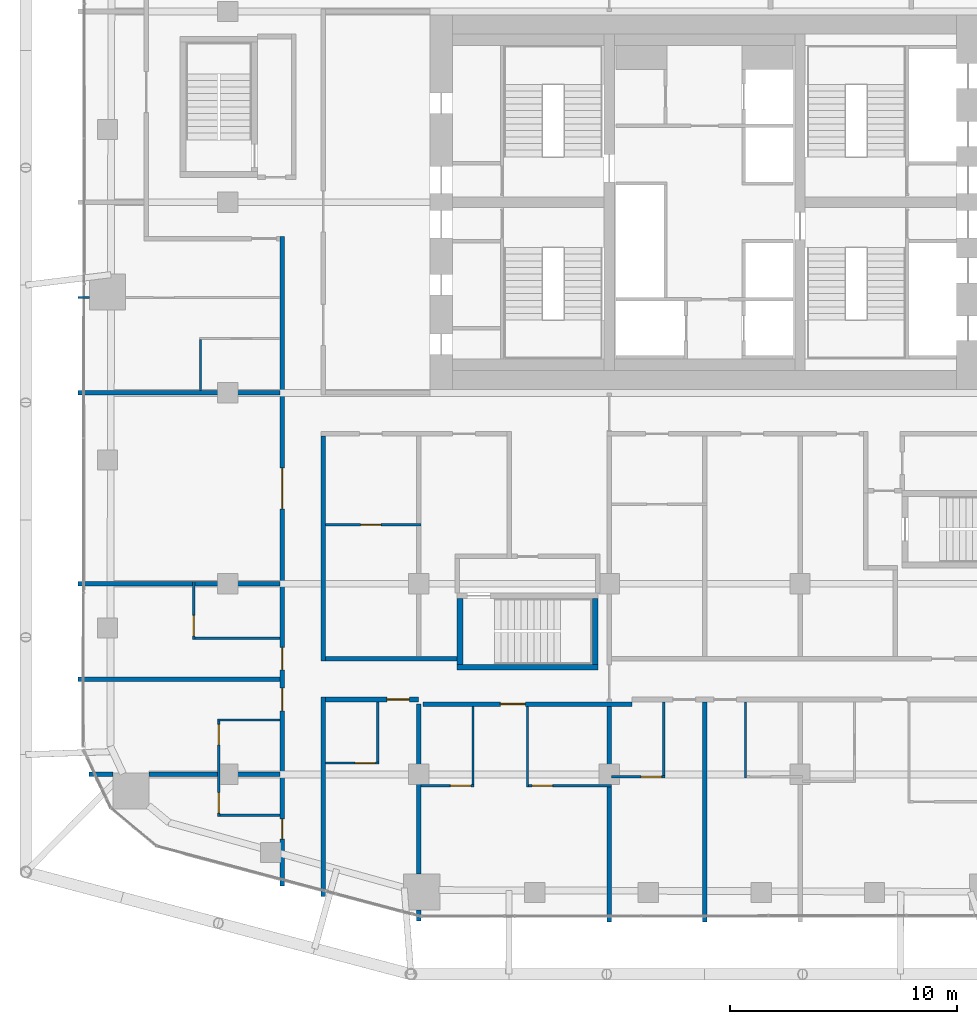
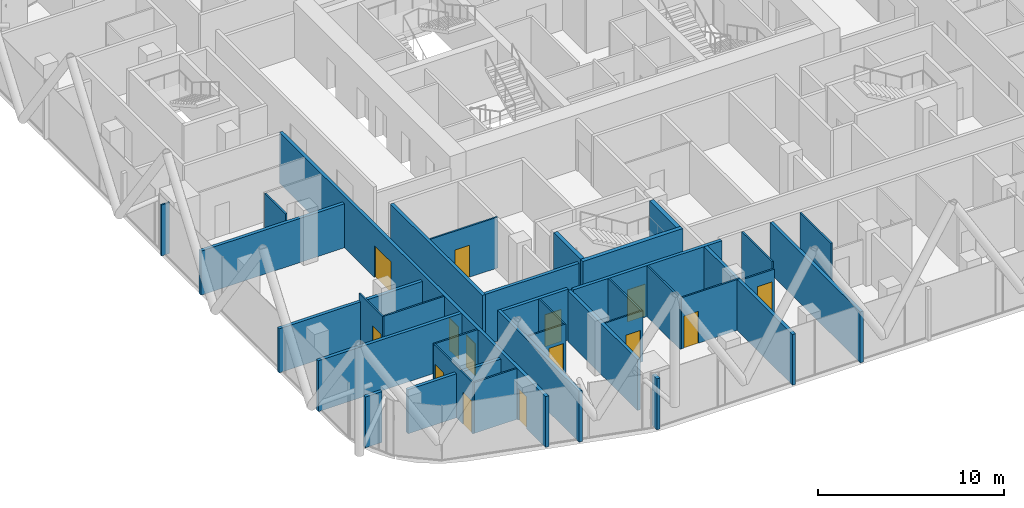
# One storey, part 27 of 36: 35 walls, 14 doors, 14 openings.
"""IFC4 building model written with IfcOpenShell, lengths in metres."""

from ifc_helpers import new_model, si_unit, direction, frame, frame_2d, origin, place, context, subcontext, project, spatial, rectangle, extrude, material, layer, layer_set, type_object, element, fill, save


model = new_model("IFC4")

# Units and contexts
model_context = context("Model", 3, precision=1e-05, world=origin(), true_north=direction((0.0, 1.0)))
body_context = subcontext(model_context, "Body", "Model", "MODEL_VIEW")
ifc_project = project(units=[si_unit("LENGTHUNIT", "METRE"), si_unit("AREAUNIT", "SQUARE_METRE"), si_unit("VOLUMEUNIT", "CUBIC_METRE"), si_unit("PLANEANGLEUNIT", "RADIAN"), si_unit("MASSUNIT", "GRAM", prefix="KILO")], contexts=[model_context])

# Site, building, storey
site_placement = place(None, origin())
site = spatial("IfcSite", under=ifc_project, at=site_placement, CompositionType="ELEMENT")
building_placement = place(site_placement, origin())
building = spatial("IfcBuilding", under=site, at=building_placement, Name="Marenta Gate Hotel Tower", CompositionType="ELEMENT")
storey_placement = place(building_placement, frame((0.0, 0.0, 130.10009765625)))
storey = spatial("IfcBuildingStorey", under=building, at=storey_placement, Name="L29", CompositionType="ELEMENT", Elevation=130.10009765625)

# Walls
ifc_material_1 = material(Name="Concrete blockwork", Category="masonry")
ifc_layer_1 = layer(ifc_material_1, 0.199951171875)
ifc_layer_set_1 = layer_set([ifc_layer_1], Name="Concrete blockwork")
wall_type_1 = type_object("IfcWallType", Name="Compartment wall 200 REI 180", PredefinedType="PARTITIONING", material=ifc_layer_set_1)
wall_1_placement = place(storey_placement, frame((-4.199951171875, -23.300048828125, 0.0), z_axis=(0.0, 0.0, 1.0), x_axis=(0.0, 1.0, 0.0)))
element("IfcWall", 1, at=wall_1_placement, inside=storey, type_object=wall_type_1, Name="L29-PTN-W079", PredefinedType="PARTITIONING", context=body_context, shape_type="SweptSolid", body=[
    extrude(rectangle(XDim=9.5, YDim=0.199951171875, at=frame_2d((4.75, 0.0))), origin(), (0.0, 0.0, 1.0), 3.33984375),
])
ifc_material_2 = material(Name="Concrete C40", Category="concrete")
ifc_layer_2 = layer(ifc_material_2, 0.25)
ifc_layer_set_2 = layer_set([ifc_layer_2], Name="Concrete C40")
wall_type_2 = type_object("IfcWallType", Name="Remote stair enclosure wall 250 REI 180", PredefinedType="SHEAR", material=ifc_layer_set_2)
wall_2_placement = place(storey_placement, frame((-10.89990234375, -12.074951171875, 0.099853515625), z_axis=(0.0, 0.0, 1.0), x_axis=(1.0, 0.0, 0.0)))
element("IfcWall", 2, at=wall_2_placement, inside=storey, type_object=wall_type_2, Name="L29-RS-Z2-1-W1", PredefinedType="SHEAR", context=body_context, shape_type="SweptSolid", body=[
    extrude(rectangle(XDim=6.199951171875, YDim=0.25, at=frame_2d((3.10009765625, 0.0))), origin(), (0.0, 0.0, 1.0), 3.60009765625),
])
for number, where, z_axis, x_axis, name in (
    (3, (-10.77490234375, -11.949951171875, 0.099853515625), (0.0, 0.0, 1.0), (0.0, 1.0, 0.0), "L29-RS-Z2-1-W3"),
    (4, (-4.824951171875, -11.949951171875, 0.099853515625), (0.0, 0.0, 1.0), (0.0, 1.0, 0.0), "L29-RS-Z2-1-W4"),
):
    element("IfcWall", number, at=place(storey_placement, frame(where, z_axis=z_axis, x_axis=x_axis)), inside=storey, type_object=wall_type_2, Name=name, PredefinedType="SHEAR", context=body_context, shape_type="SweptSolid", body=[
        extrude(rectangle(XDim=2.89990234375, YDim=0.25, at=frame_2d((1.449951171875, 0.0))), origin(), (0.0, 0.0, 1.0), 3.60009765625),
    ])

# Wall, opening, door
ifc_material_3 = material(Name="Gypsum board on steel stud", Category="steel")
ifc_layer_3 = layer(ifc_material_3, 0.199951171875)
ifc_layer_set_3 = layer_set([ifc_layer_3], Name="Gypsum board on steel stud")
wall_type_3 = type_object("IfcWallType", Name="Room corridor wall 200 EI 60", PredefinedType="PARTITIONING", material=ifc_layer_set_3)
wall_3_placement = place(storey_placement, frame((-12.39990234375, -13.699951171875, 0.0), z_axis=(0.0, 0.0, 1.0), x_axis=(1.0, 0.0, 0.0)))
wall_3 = element("IfcWall", 5, at=wall_3_placement, inside=storey, type_object=wall_type_3, Name="L29-PTN-W030", PredefinedType="PARTITIONING", context=body_context, shape_type="SweptSolid", body=[
    extrude(rectangle(XDim=9.199951171875, YDim=0.199951171875, at=frame_2d((4.60009765625, 0.0))), origin(), (0.0, 0.0, 1.0), 3.33984375),
])
opening_1_placement = place(wall_3_placement, frame((3.39990234375, 0.0, 0.0)))
opening_1 = element("IfcOpeningElement", 6, at=opening_1_placement, cuts=wall_3, Name="Opening G10-42", PredefinedType="OPENING", context=body_context, shape_type="SweptSolid", body=[
    extrude(rectangle(XDim=1.10009765625, YDim=2.10009765625, at=frame_2d((0.550048828125, 1.050048828125))), frame((0.0, 0.10009765625, 0.0), z_axis=(0.0, -1.0, 0.0), x_axis=(1.0, 0.0, 0.0)), (0.0, 0.0, 1.0), 0.199951171875),
])
ifc_material_4 = material(Name="Timber door leaf", Category="wood")
door_type_1 = type_object("IfcDoorType", Name="Guest room door 1100x2100 EI 30", OperationType="NOTDEFINED", PredefinedType="DOOR", material=ifc_material_4)
door_1_placement = place(opening_1_placement, origin())
door_1 = element("IfcDoor", 7, at=door_1_placement, inside=storey, type_object=door_type_1, Name="L29-PD-D042", OperationType="SINGLE_SWING_LEFT", OverallHeight=2.10009765625, OverallWidth=1.10009765625, PredefinedType="DOOR", context=body_context, shape_type="SweptSolid", body=[
    extrude(rectangle(XDim=1.10009765625, YDim=2.10009765625, at=frame_2d((0.550048828125, 1.050048828125))), frame((0.0, 0.02490234375, 0.0), z_axis=(0.0, -1.0, 0.0), x_axis=(1.0, 0.0, 0.0)), (0.0, 0.0, 1.0), 0.050048828125),
])
fill(opening_1, door_1)

wall_4_placement = place(storey_placement, frame((-16.699951171875, -13.5, 0.0), z_axis=(0.0, 0.0, 1.0), x_axis=(1.0, 0.0, 0.0)))
wall_4 = element("IfcWall", 8, at=wall_4_placement, inside=storey, type_object=wall_type_3, Name="L29-PTN-W031", PredefinedType="PARTITIONING", context=body_context, shape_type="SweptSolid", body=[
    extrude(rectangle(XDim=4.099853515625, YDim=0.199951171875, at=frame_2d((2.0498046875, 0.0))), origin(), (0.0, 0.0, 1.0), 3.33984375),
])
opening_2_placement = place(wall_4_placement, frame((2.699951171875, 0.0, 0.0)))
opening_2 = element("IfcOpeningElement", 9, at=opening_2_placement, cuts=wall_4, Name="Opening G10-40", PredefinedType="OPENING", context=body_context, shape_type="SweptSolid", body=[
    extrude(rectangle(XDim=1.0, YDim=2.10009765625, at=frame_2d((0.5, 1.050048828125))), frame((0.0, 0.10009765625, 0.0), z_axis=(0.0, -1.0, 0.0), x_axis=(1.0, 0.0, 0.0)), (0.0, 0.0, 1.0), 0.199951171875),
])
ifc_material_5 = material(Name="Timber door leaf", Category="wood")
door_type_2 = type_object("IfcDoorType", Name="Guest room door 1000x2100 EI 30", OperationType="NOTDEFINED", PredefinedType="DOOR", material=ifc_material_5)
door_2_placement = place(opening_2_placement, origin())
door_2 = element("IfcDoor", 10, at=door_2_placement, inside=storey, type_object=door_type_2, Name="L29-PD-D040", OperationType="SINGLE_SWING_RIGHT", OverallHeight=2.10009765625, OverallWidth=1.0, PredefinedType="DOOR", context=body_context, shape_type="SweptSolid", body=[
    extrude(rectangle(XDim=1.0, YDim=2.10009765625, at=frame_2d((0.5, 1.050048828125))), frame((0.0, 0.02490234375, 0.0), z_axis=(0.0, -1.0, 0.0), x_axis=(1.0, 0.0, 0.0)), (0.0, 0.0, 1.0), 0.050048828125),
])
fill(opening_2, door_2)

# Walls
wall_5_placement = place(storey_placement, frame((-16.699951171875, -11.699951171875, 0.0), z_axis=(0.0, 0.0, 1.0), x_axis=(1.0, 0.0, 0.0)))
element("IfcWall", 11, at=wall_5_placement, inside=storey, type_object=wall_type_3, Name="L29-PTN-W039", PredefinedType="PARTITIONING", context=body_context, shape_type="SweptSolid", body=[
    extrude(rectangle(XDim=5.800048828125, YDim=0.199951171875, at=frame_2d((2.89990234375, 0.0))), origin(), (0.0, 0.0, 1.0), 3.33984375),
])
wall_6_placement = place(storey_placement, frame((-16.800048828125, -22.18603515625, 0.0), z_axis=(0.0, 0.0, 1.0), x_axis=(0.0, 1.0, 0.0)))
element("IfcWall", 12, at=wall_6_placement, inside=storey, type_object=wall_type_3, Name="L29-PTN-W104", PredefinedType="PARTITIONING", context=body_context, shape_type="SweptSolid", body=[
    extrude(rectangle(XDim=8.7861328125, YDim=0.199951171875, at=frame_2d((4.39306640625, 0.0))), origin(), (0.0, 0.0, 1.0), 3.33984375),
])
wall_7_placement = place(storey_placement, frame((-16.800048828125, -11.800048828125, 0.0), z_axis=(0.0, 0.0, 1.0), x_axis=(0.0, 1.0, 0.0)))
element("IfcWall", 13, at=wall_7_placement, inside=storey, type_object=wall_type_3, Name="L29-PTN-W105", PredefinedType="PARTITIONING", context=body_context, shape_type="SweptSolid", body=[
    extrude(rectangle(XDim=9.900146484375, YDim=0.199951171875, at=frame_2d((4.9501953125, 0.0))), origin(), (0.0, 0.0, 1.0), 3.33984375),
])

# Wall, openings, doors
wall_8_placement = place(storey_placement, frame((-18.60009765625, -21.7080078125, 0.0), z_axis=(0.0, 0.0, 1.0), x_axis=(0.0, 1.0, 0.0)))
wall_8 = element("IfcWall", 14, at=wall_8_placement, inside=storey, type_object=wall_type_3, Name="L29-PTN-W111", PredefinedType="PARTITIONING", context=body_context, shape_type="SweptSolid", body=[
    extrude(rectangle(XDim=28.60791015625, YDim=0.199951171875, at=frame_2d((14.303955078125, 0.0))), origin(), (0.0, 0.0, 1.0), 3.33984375),
])
opening_3_placement = place(wall_8_placement, frame((2.053955078125, 0.0, 0.0)))
opening_3 = element("IfcOpeningElement", 15, at=opening_3_placement, cuts=wall_8, Name="Opening G10-54", PredefinedType="OPENING", context=body_context, shape_type="SweptSolid", body=[
    extrude(rectangle(XDim=0.89990234375, YDim=2.10009765625, at=frame_2d((0.449951171875, 1.050048828125))), frame((0.0, 0.10009765625, 0.0), z_axis=(0.0, -1.0, 0.0), x_axis=(1.0, 0.0, 0.0)), (0.0, 0.0, 1.0), 0.199951171875),
])
opening_4_placement = place(wall_8_placement, frame((7.7080078125, 0.0, 0.0)))
opening_4 = element("IfcOpeningElement", 16, at=opening_4_placement, cuts=wall_8, Name="Opening G10-56", PredefinedType="OPENING", context=body_context, shape_type="SweptSolid", body=[
    extrude(rectangle(XDim=1.0, YDim=2.10009765625, at=frame_2d((0.5, 1.050048828125))), frame((0.0, 0.10009765625, 0.0), z_axis=(0.0, -1.0, 0.0), x_axis=(1.0, 0.0, 0.0)), (0.0, 0.0, 1.0), 0.199951171875),
])
opening_5_placement = place(wall_8_placement, frame((9.508056640625, 0.0, 0.0)))
opening_5 = element("IfcOpeningElement", 17, at=opening_5_placement, cuts=wall_8, Name="Opening G10-58", PredefinedType="OPENING", context=body_context, shape_type="SweptSolid", body=[
    extrude(rectangle(XDim=1.0, YDim=2.10009765625, at=frame_2d((0.5, 1.050048828125))), frame((0.0, 0.10009765625, 0.0), z_axis=(0.0, -1.0, 0.0), x_axis=(1.0, 0.0, 0.0)), (0.0, 0.0, 1.0), 0.199951171875),
])
opening_6_placement = place(wall_8_placement, frame((16.60791015625, 0.0, 0.0)))
opening_6 = element("IfcOpeningElement", 18, at=opening_6_placement, cuts=wall_8, Name="Opening G10-60", PredefinedType="OPENING", context=body_context, shape_type="SweptSolid", body=[
    extrude(rectangle(XDim=1.800048828125, YDim=2.10009765625, at=frame_2d((0.89990234375, 1.050048828125))), frame((0.0, 0.10009765625, 0.0), z_axis=(0.0, -1.0, 0.0), x_axis=(1.0, 0.0, 0.0)), (0.0, 0.0, 1.0), 0.199951171875),
])
door_3_placement = place(opening_4_placement, origin())
door_3 = element("IfcDoor", 19, at=door_3_placement, inside=storey, type_object=door_type_2, Name="L29-PD-D056", OperationType="SINGLE_SWING_LEFT", OverallHeight=2.10009765625, OverallWidth=1.0, PredefinedType="DOOR", context=body_context, shape_type="SweptSolid", body=[
    extrude(rectangle(XDim=1.0, YDim=2.10009765625, at=frame_2d((0.5, 1.050048828125))), frame((0.0, 0.02490234375, 0.0), z_axis=(0.0, -1.0, 0.0), x_axis=(1.0, 0.0, 0.0)), (0.0, 0.0, 1.0), 0.050048828125),
])
fill(opening_4, door_3)
door_4_placement = place(opening_5_placement, origin())
door_4 = element("IfcDoor", 20, at=door_4_placement, inside=storey, type_object=door_type_2, Name="L29-PD-D058", OperationType="SINGLE_SWING_LEFT", OverallHeight=2.10009765625, OverallWidth=1.0, PredefinedType="DOOR", context=body_context, shape_type="SweptSolid", body=[
    extrude(rectangle(XDim=1.0, YDim=2.10009765625, at=frame_2d((0.5, 1.050048828125))), frame((0.0, 0.02490234375, 0.0), z_axis=(0.0, -1.0, 0.0), x_axis=(1.0, 0.0, 0.0)), (0.0, 0.0, 1.0), 0.050048828125),
])
fill(opening_5, door_4)
ifc_material_6 = material(Name="Timber door leaf", Category="wood")
door_type_3 = type_object("IfcDoorType", Name="Guest room door 900x2100 EI 30", OperationType="NOTDEFINED", PredefinedType="DOOR", material=ifc_material_6)
door_5_placement = place(opening_3_placement, origin())
door_5 = element("IfcDoor", 21, at=door_5_placement, inside=storey, type_object=door_type_3, Name="L29-PD-D054", OperationType="SINGLE_SWING_LEFT", OverallHeight=2.10009765625, OverallWidth=0.89990234375, PredefinedType="DOOR", context=body_context, shape_type="SweptSolid", body=[
    extrude(rectangle(XDim=0.89990234375, YDim=2.10009765625, at=frame_2d((0.449951171875, 1.050048828125))), frame((0.0, 0.02490234375, 0.0), z_axis=(0.0, -1.0, 0.0), x_axis=(1.0, 0.0, 0.0)), (0.0, 0.0, 1.0), 0.050048828125),
])
fill(opening_3, door_5)
ifc_material_7 = material(Name="Timber door leaf", Category="wood")
door_type_4 = type_object("IfcDoorType", Name="Room amenity door 1800x2100 EI 30", OperationType="DOUBLE_DOOR_SINGLE_SWING", PredefinedType="DOOR", material=ifc_material_7)
door_6_placement = place(opening_6_placement, origin())
door_6 = element("IfcDoor", 22, at=door_6_placement, inside=storey, type_object=door_type_4, Name="L29-PD-D060", OperationType="DOUBLE_DOOR_SINGLE_SWING", OverallHeight=2.10009765625, OverallWidth=1.800048828125, PredefinedType="DOOR", context=body_context, shape_type="SweptSolid", body=[
    extrude(rectangle(XDim=1.800048828125, YDim=2.10009765625, at=frame_2d((0.89990234375, 1.050048828125))), frame((0.0, 0.02490234375, 0.0), z_axis=(0.0, -1.0, 0.0), x_axis=(1.0, 0.0, 0.0)), (0.0, 0.0, 1.0), 0.050048828125),
])
fill(opening_6, door_6)

# Wall
ifc_material_8 = material(Name="Gypsum board on steel stud", Category="steel")
ifc_layer_4 = layer(ifc_material_8, 0.10009765625)
ifc_layer_set_4 = layer_set([ifc_layer_4], Name="Gypsum board on steel stud")
wall_type_4 = type_object("IfcWallType", Name="Room partition 100", PredefinedType="PARTITIONING", material=ifc_layer_set_4)
wall_9_placement = place(storey_placement, frame((-21.35009765625, -18.60009765625, 0.0), z_axis=(0.0, 0.0, 1.0), x_axis=(1.0, 0.0, 0.0)))
element("IfcWall", 23, at=wall_9_placement, inside=storey, type_object=wall_type_4, Name="L29-PTN-W012", PredefinedType="PARTITIONING", context=body_context, shape_type="SweptSolid", body=[
    extrude(rectangle(XDim=2.650146484375, YDim=0.10009765625, at=frame_2d((1.3251953125, 0.0))), origin(), (0.0, 0.0, 1.0), 3.33984375),
])

# Wall, opening, door
wall_10_placement = place(storey_placement, frame((-12.5, -17.300048828125, 0.0), z_axis=(0.0, 0.0, 1.0), x_axis=(1.0, 0.0, 0.0)))
wall_10 = element("IfcWall", 24, at=wall_10_placement, inside=storey, type_object=wall_type_4, Name="L29-PTN-W015", PredefinedType="PARTITIONING", context=body_context, shape_type="SweptSolid", body=[
    extrude(rectangle(XDim=2.35009765625, YDim=0.10009765625, at=frame_2d((1.175048828125, 0.0))), origin(), (0.0, 0.0, 1.0), 3.33984375),
])
opening_7_placement = place(wall_10_placement, frame((1.300048828125, 0.0, 0.0)))
opening_7 = element("IfcOpeningElement", 25, at=opening_7_placement, cuts=wall_10, Name="Opening G10-44", PredefinedType="OPENING", context=body_context, shape_type="SweptSolid", body=[
    extrude(rectangle(XDim=0.89990234375, YDim=2.10009765625, at=frame_2d((0.449951171875, 1.050048828125))), frame((0.0, 0.050048828125, 0.0), z_axis=(0.0, -1.0, 0.0), x_axis=(1.0, 0.0, 0.0)), (0.0, 0.0, 1.0), 0.10009765625),
])
ifc_material_9 = material(Name="Timber door leaf", Category="wood")
door_type_5 = type_object("IfcDoorType", Name="Room inner door 900x2100", OperationType="NOTDEFINED", PredefinedType="DOOR", material=ifc_material_9)
door_7_placement = place(opening_7_placement, origin())
door_7 = element("IfcDoor", 26, at=door_7_placement, inside=storey, type_object=door_type_5, Name="L29-PD-D044", OperationType="SINGLE_SWING_RIGHT", OverallHeight=2.10009765625, OverallWidth=0.89990234375, PredefinedType="DOOR", context=body_context, shape_type="SweptSolid", body=[
    extrude(rectangle(XDim=0.89990234375, YDim=2.10009765625, at=frame_2d((0.449951171875, 1.050048828125))), frame((0.0, 0.02490234375, 0.0), z_axis=(0.0, -1.0, 0.0), x_axis=(1.0, 0.0, 0.0)), (0.0, 0.0, 1.0), 0.050048828125),
])
fill(opening_7, door_7)

wall_11_placement = place(storey_placement, frame((-7.75, -17.300048828125, 0.0), z_axis=(0.0, 0.0, 1.0), x_axis=(1.0, 0.0, 0.0)))
wall_11 = element("IfcWall", 27, at=wall_11_placement, inside=storey, type_object=wall_type_4, Name="L29-PTN-W016", PredefinedType="PARTITIONING", context=body_context, shape_type="SweptSolid", body=[
    extrude(rectangle(XDim=3.64990234375, YDim=0.10009765625, at=frame_2d((1.824951171875, 0.0))), origin(), (0.0, 0.0, 1.0), 3.33984375),
])
opening_8_placement = place(wall_11_placement, frame((0.14990234375, 0.0, 0.0)))
opening_8 = element("IfcOpeningElement", 28, at=opening_8_placement, cuts=wall_11, Name="Opening G10-43", PredefinedType="OPENING", context=body_context, shape_type="SweptSolid", body=[
    extrude(rectangle(XDim=0.89990234375, YDim=2.10009765625, at=frame_2d((0.449951171875, 1.050048828125))), frame((0.0, 0.050048828125, 0.0), z_axis=(0.0, -1.0, 0.0), x_axis=(1.0, 0.0, 0.0)), (0.0, 0.0, 1.0), 0.10009765625),
])
ifc_material_10 = material(Name="Timber door leaf", Category="wood")
door_type_6 = type_object("IfcDoorType", Name="Guest bathroom door 900x2100", OperationType="NOTDEFINED", PredefinedType="DOOR", material=ifc_material_10)
door_8_placement = place(opening_8_placement, origin())
door_8 = element("IfcDoor", 29, at=door_8_placement, inside=storey, type_object=door_type_6, Name="L29-PD-D043", OperationType="SINGLE_SWING_LEFT", OverallHeight=2.10009765625, OverallWidth=0.89990234375, PredefinedType="DOOR", context=body_context, shape_type="SweptSolid", body=[
    extrude(rectangle(XDim=0.89990234375, YDim=2.10009765625, at=frame_2d((0.449951171875, 1.050048828125))), frame((0.0, 0.02490234375, 0.0), z_axis=(0.0, -1.0, 0.0), x_axis=(1.0, 0.0, 0.0)), (0.0, 0.0, 1.0), 0.050048828125),
])
fill(opening_8, door_8)

wall_12_placement = place(storey_placement, frame((-4.10009765625, -16.89990234375, 0.0), z_axis=(0.0, 0.0, 1.0), x_axis=(1.0, 0.0, 0.0)))
wall_12 = element("IfcWall", 30, at=wall_12_placement, inside=storey, type_object=wall_type_4, Name="L29-PTN-W018", PredefinedType="PARTITIONING", context=body_context, shape_type="SweptSolid", body=[
    extrude(rectangle(XDim=2.35009765625, YDim=0.10009765625, at=frame_2d((1.175048828125, 0.0))), origin(), (0.0, 0.0, 1.0), 2.889892578125),
])
opening_9_placement = place(wall_12_placement, frame((1.300048828125, 0.0, 0.0)))
opening_9 = element("IfcOpeningElement", 31, at=opening_9_placement, cuts=wall_12, Name="Opening G10-46", PredefinedType="OPENING", context=body_context, shape_type="SweptSolid", body=[
    extrude(rectangle(XDim=0.89990234375, YDim=2.10009765625, at=frame_2d((0.449951171875, 1.050048828125))), frame((0.0, 0.050048828125, 0.0), z_axis=(0.0, -1.0, 0.0), x_axis=(1.0, 0.0, 0.0)), (0.0, 0.0, 1.0), 0.10009765625),
])
door_9_placement = place(opening_9_placement, origin())
door_9 = element("IfcDoor", 32, at=door_9_placement, inside=storey, type_object=door_type_6, Name="L29-PD-D046", OperationType="SINGLE_SWING_RIGHT", OverallHeight=2.10009765625, OverallWidth=0.89990234375, PredefinedType="DOOR", context=body_context, shape_type="SweptSolid", body=[
    extrude(rectangle(XDim=0.89990234375, YDim=2.10009765625, at=frame_2d((0.449951171875, 1.050048828125))), frame((0.0, 0.02490234375, 0.0), z_axis=(0.0, -1.0, 0.0), x_axis=(1.0, 0.0, 0.0)), (0.0, 0.0, 1.0), 0.050048828125),
])
fill(opening_9, door_9)

wall_13_placement = place(storey_placement, frame((-16.699951171875, -16.300048828125, 0.0), z_axis=(0.0, 0.0, 1.0), x_axis=(1.0, 0.0, 0.0)))
wall_13 = element("IfcWall", 33, at=wall_13_placement, inside=storey, type_object=wall_type_4, Name="L29-PTN-W025", PredefinedType="PARTITIONING", context=body_context, shape_type="SweptSolid", body=[
    extrude(rectangle(XDim=2.349853515625, YDim=0.10009765625, at=frame_2d((1.1748046875, 0.0))), origin(), (0.0, 0.0, 1.0), 3.33984375),
])
opening_10_placement = place(wall_13_placement, frame((1.300048828125, 0.0, 0.0)))
opening_10 = element("IfcOpeningElement", 34, at=opening_10_placement, cuts=wall_13, Name="Opening G10-41", PredefinedType="OPENING", context=body_context, shape_type="SweptSolid", body=[
    extrude(rectangle(XDim=0.89990234375, YDim=2.10009765625, at=frame_2d((0.449951171875, 1.050048828125))), frame((0.0, 0.050048828125, 0.0), z_axis=(0.0, -1.0, 0.0), x_axis=(1.0, 0.0, 0.0)), (0.0, 0.0, 1.0), 0.10009765625),
])
door_10_placement = place(opening_10_placement, origin())
door_10 = element("IfcDoor", 35, at=door_10_placement, inside=storey, type_object=door_type_6, Name="L29-PD-D041", OperationType="SINGLE_SWING_RIGHT", OverallHeight=2.10009765625, OverallWidth=0.89990234375, PredefinedType="DOOR", context=body_context, shape_type="SweptSolid", body=[
    extrude(rectangle(XDim=0.89990234375, YDim=2.10009765625, at=frame_2d((0.449951171875, 1.050048828125))), frame((0.0, 0.02490234375, 0.0), z_axis=(0.0, -1.0, 0.0), x_axis=(1.0, 0.0, 0.0)), (0.0, 0.0, 1.0), 0.050048828125),
])
fill(opening_10, door_10)

# Walls
wall_14_placement = place(storey_placement, frame((-21.449951171875, -14.39990234375, 0.0), z_axis=(0.0, 0.0, 1.0), x_axis=(1.0, 0.0, 0.0)))
element("IfcWall", 36, at=wall_14_placement, inside=storey, type_object=wall_type_4, Name="L29-PTN-W028", PredefinedType="PARTITIONING", context=body_context, shape_type="SweptSolid", body=[
    extrude(rectangle(XDim=2.75, YDim=0.10009765625, at=frame_2d((1.375, 0.0))), origin(), (0.0, 0.0, 1.0), 3.33984375),
])
wall_15_placement = place(storey_placement, frame((-22.449951171875, -10.800048828125, 0.0), z_axis=(0.0, 0.0, 1.0), x_axis=(1.0, 0.0, 0.0)))
element("IfcWall", 37, at=wall_15_placement, inside=storey, type_object=wall_type_4, Name="L29-PTN-W041", PredefinedType="PARTITIONING", context=body_context, shape_type="SweptSolid", body=[
    extrude(rectangle(XDim=3.75, YDim=0.10009765625, at=frame_2d((1.875, 0.0))), origin(), (0.0, 0.0, 1.0), 3.33984375),
])

# Wall, opening, door
wall_16_placement = place(storey_placement, frame((-16.699951171875, -5.800048828125, 0.0), z_axis=(0.0, 0.0, 1.0), x_axis=(1.0, 0.0, 0.0)))
wall_16 = element("IfcWall", 38, at=wall_16_placement, inside=storey, type_object=wall_type_4, Name="L29-PTN-W058", PredefinedType="PARTITIONING", context=body_context, shape_type="SweptSolid", body=[
    extrude(rectangle(XDim=4.199951171875, YDim=0.10009765625, at=frame_2d((2.10009765625, 0.0))), origin(), (0.0, 0.0, 1.0), 3.33984375),
])
opening_11_placement = place(wall_16_placement, frame((1.550048828125, 0.0, 0.0)))
opening_11 = element("IfcOpeningElement", 39, at=opening_11_placement, cuts=wall_16, Name="Opening G10-02", PredefinedType="OPENING", context=body_context, shape_type="SweptSolid", body=[
    extrude(rectangle(XDim=0.89990234375, YDim=2.10009765625, at=frame_2d((0.449951171875, 1.050048828125))), frame((0.0, 0.050048828125, 0.0), z_axis=(0.0, -1.0, 0.0), x_axis=(1.0, 0.0, 0.0)), (0.0, 0.0, 1.0), 0.10009765625),
])
door_11_placement = place(opening_11_placement, origin())
door_11 = element("IfcDoor", 40, at=door_11_placement, inside=storey, type_object=door_type_5, Name="L29-PD-D002", OperationType="SINGLE_SWING_RIGHT", OverallHeight=2.10009765625, OverallWidth=0.89990234375, PredefinedType="DOOR", context=body_context, shape_type="SweptSolid", body=[
    extrude(rectangle(XDim=0.89990234375, YDim=2.10009765625, at=frame_2d((0.449951171875, 1.050048828125))), frame((0.0, 0.02490234375, 0.0), z_axis=(0.0, -1.0, 0.0), x_axis=(1.0, 0.0, 0.0)), (0.0, 0.0, 1.0), 0.050048828125),
])
fill(opening_11, door_11)

# Walls
wall_17_placement = place(storey_placement, frame((1.800048828125, -16.949951171875, 0.0), z_axis=(0.0, 0.0, 1.0), x_axis=(0.0, 1.0, 0.0)))
element("IfcWall", 41, at=wall_17_placement, inside=storey, type_object=wall_type_4, Name="L29-PTN-W066", PredefinedType="PARTITIONING", context=body_context, shape_type="SweptSolid", body=[
    extrude(rectangle(XDim=3.349853515625, YDim=0.10009765625, at=frame_2d((1.6748046875, 0.0))), origin(), (0.0, 0.0, 1.0), 3.33984375),
])
wall_18_placement = place(storey_placement, frame((-1.800048828125, -16.85009765625, 0.0), z_axis=(0.0, 0.0, 1.0), x_axis=(0.0, 1.0, 0.0)))
element("IfcWall", 42, at=wall_18_placement, inside=storey, type_object=wall_type_4, Name="L29-PTN-W076", PredefinedType="PARTITIONING", context=body_context, shape_type="SweptSolid", body=[
    extrude(rectangle(XDim=3.25, YDim=0.10009765625, at=frame_2d((1.625, 0.0))), origin(), (0.0, 0.0, 1.0), 3.33984375),
])
wall_19_placement = place(storey_placement, frame((-27.60009765625, 4.199951171875, 0.0), z_axis=(0.0, 0.0, 1.0), x_axis=(1.0, 0.0, 0.0)))
element("IfcWall", 43, at=wall_19_placement, inside=storey, type_object=wall_type_4, Name="L29-PTN-W082", PredefinedType="PARTITIONING", context=body_context, shape_type="SweptSolid", body=[
    extrude(rectangle(XDim=0.5, YDim=0.10009765625, at=frame_2d((0.25, 0.0))), origin(), (0.0, 0.0, 1.0), 3.33984375),
])
wall_20_placement = place(storey_placement, frame((-7.800048828125, -17.35009765625, 0.0), z_axis=(0.0, 0.0, 1.0), x_axis=(0.0, 1.0, 0.0)))
element("IfcWall", 44, at=wall_20_placement, inside=storey, type_object=wall_type_4, Name="L29-PTN-W087", PredefinedType="PARTITIONING", context=body_context, shape_type="SweptSolid", body=[
    extrude(rectangle(XDim=3.550048828125, YDim=0.10009765625, at=frame_2d((1.77490234375, 0.0))), origin(), (0.0, 0.0, 1.0), 3.33984375),
])
wall_21_placement = place(storey_placement, frame((-10.199951171875, -17.25, 0.0), z_axis=(0.0, 0.0, 1.0), x_axis=(0.0, 1.0, 0.0)))
element("IfcWall", 45, at=wall_21_placement, inside=storey, type_object=wall_type_4, Name="L29-PTN-W093", PredefinedType="PARTITIONING", context=body_context, shape_type="SweptSolid", body=[
    extrude(rectangle(XDim=3.449951171875, YDim=0.10009765625, at=frame_2d((1.72509765625, 0.0))), origin(), (0.0, 0.0, 1.0), 3.33984375),
])
wall_22_placement = place(storey_placement, frame((-14.39990234375, -16.25, 0.0), z_axis=(0.0, 0.0, 1.0), x_axis=(0.0, 1.0, 0.0)))
element("IfcWall", 46, at=wall_22_placement, inside=storey, type_object=wall_type_4, Name="L29-PTN-W100", PredefinedType="PARTITIONING", context=body_context, shape_type="SweptSolid", body=[
    extrude(rectangle(XDim=2.64990234375, YDim=0.10009765625, at=frame_2d((1.324951171875, 0.0))), origin(), (0.0, 0.0, 1.0), 3.33984375),
])

# Wall, openings, doors
wall_23_placement = place(storey_placement, frame((-21.39990234375, -18.64990234375, 0.0), z_axis=(0.0, 0.0, 1.0), x_axis=(0.0, 1.0, 0.0)))
wall_23 = element("IfcWall", 47, at=wall_23_placement, inside=storey, type_object=wall_type_4, Name="L29-PTN-W117", PredefinedType="PARTITIONING", context=body_context, shape_type="SweptSolid", body=[
    extrude(rectangle(XDim=4.199951171875, YDim=0.10009765625, at=frame_2d((2.10009765625, 0.0))), origin(), (0.0, 0.0, 1.0), 3.33984375),
])
opening_12_placement = place(wall_23_placement, frame((0.14990234375, 0.0, 0.0)))
opening_12 = element("IfcOpeningElement", 48, at=opening_12_placement, cuts=wall_23, Name="Opening G10-55", PredefinedType="OPENING", context=body_context, shape_type="SweptSolid", body=[
    extrude(rectangle(XDim=0.89990234375, YDim=2.10009765625, at=frame_2d((0.449951171875, 1.050048828125))), frame((0.0, 0.050048828125, 0.0), z_axis=(0.0, -1.0, 0.0), x_axis=(1.0, 0.0, 0.0)), (0.0, 0.0, 1.0), 0.10009765625),
])
opening_13_placement = place(wall_23_placement, frame((3.14990234375, 0.0, 0.0)))
opening_13 = element("IfcOpeningElement", 49, at=opening_13_placement, cuts=wall_23, Name="Opening G10-57", PredefinedType="OPENING", context=body_context, shape_type="SweptSolid", body=[
    extrude(rectangle(XDim=0.89990234375, YDim=2.10009765625, at=frame_2d((0.449951171875, 1.050048828125))), frame((0.0, 0.050048828125, 0.0), z_axis=(0.0, -1.0, 0.0), x_axis=(1.0, 0.0, 0.0)), (0.0, 0.0, 1.0), 0.10009765625),
])
door_12_placement = place(opening_12_placement, origin())
door_12 = element("IfcDoor", 50, at=door_12_placement, inside=storey, type_object=door_type_6, Name="L29-PD-D055", OperationType="SINGLE_SWING_RIGHT", OverallHeight=2.10009765625, OverallWidth=0.89990234375, PredefinedType="DOOR", context=body_context, shape_type="SweptSolid", body=[
    extrude(rectangle(XDim=0.89990234375, YDim=2.10009765625, at=frame_2d((0.449951171875, 1.050048828125))), frame((0.0, 0.02490234375, 0.0), z_axis=(0.0, -1.0, 0.0), x_axis=(1.0, 0.0, 0.0)), (0.0, 0.0, 1.0), 0.050048828125),
])
fill(opening_12, door_12)
door_13_placement = place(opening_13_placement, origin())
door_13 = element("IfcDoor", 51, at=door_13_placement, inside=storey, type_object=door_type_6, Name="L29-PD-D057", OperationType="SINGLE_SWING_LEFT", OverallHeight=2.10009765625, OverallWidth=0.89990234375, PredefinedType="DOOR", context=body_context, shape_type="SweptSolid", body=[
    extrude(rectangle(XDim=0.89990234375, YDim=2.10009765625, at=frame_2d((0.449951171875, 1.050048828125))), frame((0.0, 0.02490234375, 0.0), z_axis=(0.0, -1.0, 0.0), x_axis=(1.0, 0.0, 0.0)), (0.0, 0.0, 1.0), 0.050048828125),
])
fill(opening_13, door_13)

# Wall
wall_24_placement = place(storey_placement, frame((-22.199951171875, 0.10009765625, 0.0), z_axis=(0.0, 0.0, 1.0), x_axis=(0.0, 1.0, 0.0)))
element("IfcWall", 52, at=wall_24_placement, inside=storey, type_object=wall_type_4, Name="L29-PTN-W122", PredefinedType="PARTITIONING", context=body_context, shape_type="SweptSolid", body=[
    extrude(rectangle(XDim=2.25, YDim=0.10009765625, at=frame_2d((1.125, 0.0))), origin(), (0.0, 0.0, 1.0), 3.33984375),
])

# Wall, opening, door
wall_25_placement = place(storey_placement, frame((-22.5, -10.85009765625, 0.0), z_axis=(0.0, 0.0, 1.0), x_axis=(0.0, 1.0, 0.0)))
wall_25 = element("IfcWall", 53, at=wall_25_placement, inside=storey, type_object=wall_type_4, Name="L29-PTN-W127", PredefinedType="PARTITIONING", context=body_context, shape_type="SweptSolid", body=[
    extrude(rectangle(XDim=2.550048828125, YDim=0.10009765625, at=frame_2d((1.27490234375, 0.0))), origin(), (0.0, 0.0, 1.0), 3.33984375),
])
opening_14_placement = place(wall_25_placement, frame((0.14990234375, 0.0, 0.0)))
opening_14 = element("IfcOpeningElement", 54, at=opening_14_placement, cuts=wall_25, Name="Opening G10-59", PredefinedType="OPENING", context=body_context, shape_type="SweptSolid", body=[
    extrude(rectangle(XDim=0.89990234375, YDim=2.10009765625, at=frame_2d((0.449951171875, 1.050048828125))), frame((0.0, 0.050048828125, 0.0), z_axis=(0.0, -1.0, 0.0), x_axis=(1.0, 0.0, 0.0)), (0.0, 0.0, 1.0), 0.10009765625),
])
door_14_placement = place(opening_14_placement, origin())
door_14 = element("IfcDoor", 55, at=door_14_placement, inside=storey, type_object=door_type_6, Name="L29-PD-D059", OperationType="SINGLE_SWING_RIGHT", OverallHeight=2.10009765625, OverallWidth=0.89990234375, PredefinedType="DOOR", context=body_context, shape_type="SweptSolid", body=[
    extrude(rectangle(XDim=0.89990234375, YDim=2.10009765625, at=frame_2d((0.449951171875, 1.050048828125))), frame((0.0, 0.02490234375, 0.0), z_axis=(0.0, -1.0, 0.0), x_axis=(1.0, 0.0, 0.0)), (0.0, 0.0, 1.0), 0.050048828125),
])
fill(opening_14, door_14)

# Walls
ifc_material_11 = material(Name="Gypsum board on steel stud", Category="steel")
ifc_layer_5 = layer(ifc_material_11, 0.199951171875)
ifc_layer_set_5 = layer_set([ifc_layer_5], Name="Gypsum board on steel stud")
wall_type_5 = type_object("IfcWallType", Name="Room party wall 200 EI 60", PredefinedType="PARTITIONING", material=ifc_layer_set_5)
wall_26_placement = place(storey_placement, frame((-27.112060546875, -16.800048828125, 0.0), z_axis=(0.0, 0.0, 1.0), x_axis=(1.0, 0.0, 0.0)))
element("IfcWall", 56, at=wall_26_placement, inside=storey, type_object=wall_type_5, Name="L29-PTN-W023", PredefinedType="PARTITIONING", context=body_context, shape_type="SweptSolid", body=[
    extrude(rectangle(XDim=1.049072265625, YDim=0.199951171875, at=frame_2d((0.5244140625, 0.0))), origin(), (0.0, 0.0, 1.0), 3.33984375),
])
wall_27_placement = place(storey_placement, frame((-24.462890625, -16.800048828125, 0.0), z_axis=(0.0, 0.0, 1.0), x_axis=(1.0, 0.0, 0.0)))
element("IfcWall", 57, at=wall_27_placement, inside=storey, type_object=wall_type_5, Name="L29-PTN-W132", PredefinedType="PARTITIONING", context=body_context, shape_type="SweptSolid", body=[
    extrude(rectangle(XDim=5.762939453125, YDim=0.199951171875, at=frame_2d((2.88134765625, 0.0))), origin(), (0.0, 0.0, 1.0), 2.889892578125),
])
wall_28_placement = place(storey_placement, frame((-27.60009765625, -12.60009765625, 0.0), z_axis=(0.0, 0.0, 1.0), x_axis=(1.0, 0.0, 0.0)))
element("IfcWall", 58, at=wall_28_placement, inside=storey, type_object=wall_type_5, Name="L29-PTN-W037", PredefinedType="PARTITIONING", context=body_context, shape_type="SweptSolid", body=[
    extrude(rectangle(XDim=8.900146484375, YDim=0.199951171875, at=frame_2d((4.4501953125, 0.0))), origin(), (0.0, 0.0, 1.0), 3.33984375),
])
wall_29_placement = place(storey_placement, frame((-27.60009765625, -8.39990234375, 0.0), z_axis=(0.0, 0.0, 1.0), x_axis=(1.0, 0.0, 0.0)))
element("IfcWall", 59, at=wall_29_placement, inside=storey, type_object=wall_type_5, Name="L29-PTN-W048", PredefinedType="PARTITIONING", context=body_context, shape_type="SweptSolid", body=[
    extrude(rectangle(XDim=8.900146484375, YDim=0.199951171875, at=frame_2d((4.4501953125, 0.0))), origin(), (0.0, 0.0, 1.0), 2.889892578125),
])
wall_30_placement = place(storey_placement, frame((0.0, -23.300048828125, 0.0), z_axis=(0.0, 0.0, 1.0), x_axis=(0.0, 1.0, 0.0)))
element("IfcWall", 60, at=wall_30_placement, inside=storey, type_object=wall_type_5, Name="L29-PTN-W072", PredefinedType="PARTITIONING", context=body_context, shape_type="SweptSolid", body=[
    extrude(rectangle(XDim=9.699951171875, YDim=0.199951171875, at=frame_2d((4.85009765625, 0.0))), origin(), (0.0, 0.0, 1.0), 3.33984375),
])
wall_31_placement = place(storey_placement, frame((-27.60009765625, 0.0, 0.0), z_axis=(0.0, 0.0, 1.0), x_axis=(1.0, 0.0, 0.0)))
element("IfcWall", 61, at=wall_31_placement, inside=storey, type_object=wall_type_5, Name="L29-PTN-W074", PredefinedType="PARTITIONING", context=body_context, shape_type="SweptSolid", body=[
    extrude(rectangle(XDim=8.900146484375, YDim=0.199951171875, at=frame_2d((4.4501953125, 0.0))), origin(), (0.0, 0.0, 1.0), 2.889892578125),
])
wall_32_placement = place(storey_placement, frame((-12.60009765625, -23.26611328125, 0.0), z_axis=(0.0, 0.0, 1.0), x_axis=(0.0, 1.0, 0.0)))
element("IfcWall", 62, at=wall_32_placement, inside=storey, type_object=wall_type_5, Name="L29-PTN-W096", PredefinedType="PARTITIONING", context=body_context, shape_type="SweptSolid", body=[
    extrude(rectangle(XDim=0.4912109375, YDim=0.199951171875, at=frame_2d((0.24560546875, 0.0))), origin(), (0.0, 0.0, 1.0), 3.33984375),
])
wall_33_placement = place(storey_placement, frame((-12.60009765625, -21.175048828125, 0.0), z_axis=(0.0, 0.0, 1.0), x_axis=(0.0, 1.0, 0.0)))
element("IfcWall", 63, at=wall_33_placement, inside=storey, type_object=wall_type_5, Name="L29-PTN-W136", PredefinedType="PARTITIONING", context=body_context, shape_type="SweptSolid", body=[
    extrude(rectangle(XDim=7.47509765625, YDim=0.199951171875, at=frame_2d((3.737548828125, 0.0))), origin(), (0.0, 0.0, 1.0), 3.33984375),
])

save(model, "model.ifc")
